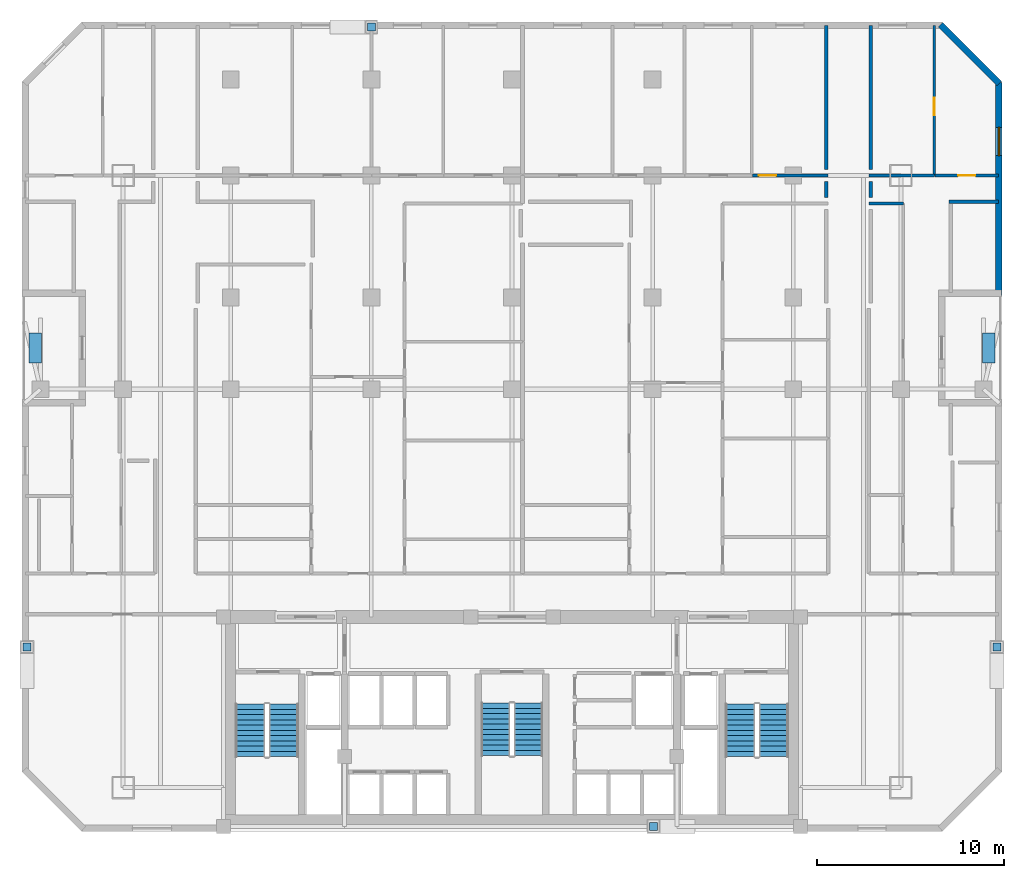
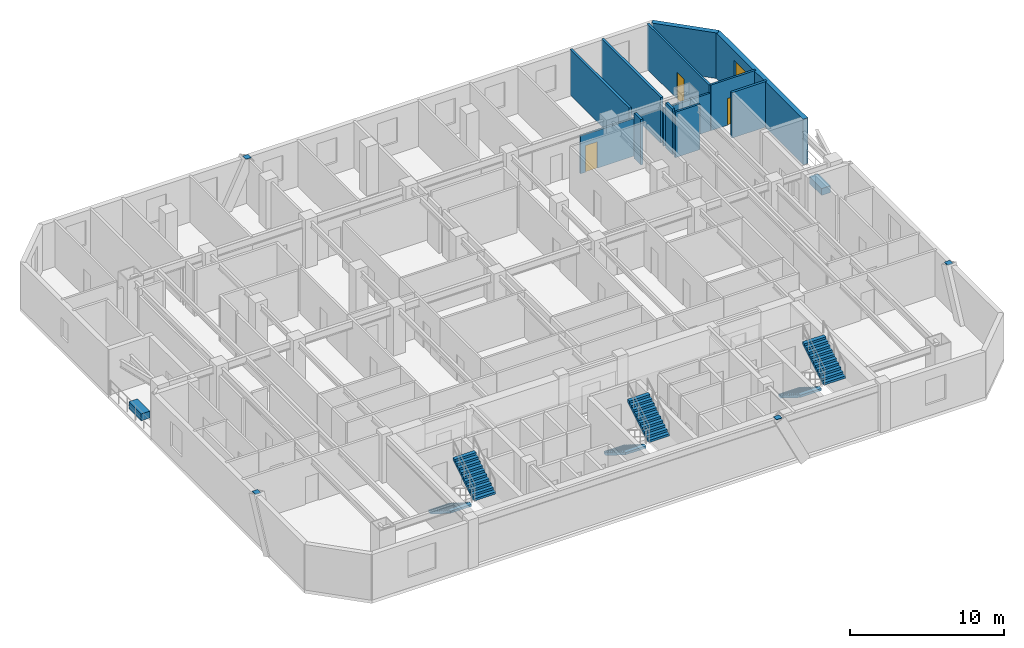
# One storey, part 8 of 10: 12 walls, 6 discrete accessories, 6 stair flights, 3 doors, 1 window, 4 openings, 3 elements without a shape of their own.
"""IFC4 building model written with IfcOpenShell, lengths in metres."""

from ifc_helpers import new_model, si_unit, direction, frame, frame_2d, origin, origin_2d, place, context, subcontext, project, spatial, polyline, rectangle, outline, extrude, material, layer, layer_set, type_object, element, fill, aggregate, save


model = new_model("IFC4")

# Units and contexts
model_context = context("Model", 3, precision=1e-05, world=origin(), true_north=direction((0.0, 1.0)))
body_context = subcontext(model_context, "Body", "Model", "MODEL_VIEW")
ifc_project = project(units=[si_unit("LENGTHUNIT", "METRE"), si_unit("AREAUNIT", "SQUARE_METRE"), si_unit("VOLUMEUNIT", "CUBIC_METRE"), si_unit("PLANEANGLEUNIT", "RADIAN"), si_unit("MASSUNIT", "GRAM", prefix="KILO")], contexts=[model_context])

# Site, building, storey
site_placement = place(None, origin())
site = spatial("IfcSite", under=ifc_project, at=site_placement, CompositionType="ELEMENT")
building_placement = place(site_placement, origin())
building = spatial("IfcBuilding", under=site, at=building_placement, Name="Ventersveld Concourse Tower", CompositionType="ELEMENT")
storey_placement = place(building_placement, frame((0.0, 0.0, 104.14990234375)))
storey = spatial("IfcBuildingStorey", under=building, at=storey_placement, Name="L25", CompositionType="ELEMENT", Elevation=104.14990234375)

# Walls
ifc_material_1 = material(Name="Fire-rated autoclaved aerated masonry blockwork", Category="masonry")
ifc_layer_1 = layer(ifc_material_1, 0.179931640625)
ifc_layer_set_1 = layer_set([ifc_layer_1], Name="Fire-rated autoclaved aerated masonry blockwork")
wall_type_1 = type_object("IfcWallType", Name="WL-CORR-180", PredefinedType="PARTITIONING", material=ifc_layer_set_1)
wall_1_placement = place(storey_placement, frame((47.8798828125, 33.824951171875, 0.0), z_axis=(0.0, 0.0, 1.0), x_axis=(0.0, 1.0, 0.0)))
element("IfcWall", 1, at=wall_1_placement, inside=storey, type_object=wall_type_1, Name="L25 Room Enclosure Wall SP-L25-25NE-LIV", PredefinedType="PARTITIONING", context=body_context, shape_type="SweptSolid", body=[
    extrude(rectangle(XDim=0.85009765625, YDim=0.179931640625, at=frame_2d((0.425048828125, 0.0))), origin(), (0.0, 0.0, 1.0), 3.60009765625),
])
wall_2_placement = place(storey_placement, frame((54.68994140625, 33.590087890625, 0.0), z_axis=(0.0, 0.0, 1.0), x_axis=(-1.0, 0.0, 0.0)))
element("IfcWall", 2, at=wall_2_placement, inside=storey, type_object=wall_type_1, Name="L25 Room Enclosure Wall SP-L25-25NE-LIV", PredefinedType="PARTITIONING", context=body_context, shape_type="SweptSolid", body=[
    extrude(rectangle(XDim=2.6318359375, YDim=0.179931640625, at=frame_2d((1.31591796875, 0.0))), origin(), (0.0, 0.0, 1.0), 3.60009765625),
])
wall_3_placement = place(storey_placement, frame((47.8798828125, 35.324951171875, 0.0), z_axis=(0.0, 0.0, 1.0), x_axis=(0.0, 1.0, 0.0)))
element("IfcWall", 3, at=wall_3_placement, inside=storey, type_object=wall_type_1, Name="L25 Room Enclosure Wall SP-L25-25NE-BR1", PredefinedType="PARTITIONING", context=body_context, shape_type="SweptSolid", body=[
    extrude(rectangle(XDim=7.6650390625, YDim=0.179931640625, at=frame_2d((3.83251953125, 0.0))), origin(), (0.0, 0.0, 1.0), 3.60009765625),
])
wall_4_placement = place(storey_placement, frame((45.52001953125, 34.675048828125, 0.0), z_axis=(0.0, 0.0, 1.0), x_axis=(0.0, -1.0, 0.0)))
element("IfcWall", 4, at=wall_4_placement, inside=storey, type_object=wall_type_1, Name="L25 Room Enclosure Wall SP-L25-25N2-LIV", PredefinedType="PARTITIONING", context=body_context, shape_type="SweptSolid", body=[
    extrude(rectangle(XDim=0.85009765625, YDim=0.179931640625, at=frame_2d((0.425048828125, 0.0))), origin(), (0.0, 0.0, 1.0), 3.60009765625),
])
wall_5_placement = place(storey_placement, frame((45.52001953125, 42.989990234375, 0.0), z_axis=(0.0, 0.0, 1.0), x_axis=(0.0, -1.0, 0.0)))
element("IfcWall", 5, at=wall_5_placement, inside=storey, type_object=wall_type_1, Name="L25 Room Enclosure Wall SP-L25-25N2-BR4", PredefinedType="PARTITIONING", context=body_context, shape_type="SweptSolid", body=[
    extrude(rectangle(XDim=7.6650390625, YDim=0.179931640625, at=frame_2d((3.83251953125, 0.0))), origin(), (0.0, 0.0, 1.0), 3.60009765625),
])
ifc_material_2 = material(Name="Autoclaved aerated masonry blockwork", Category="masonry")
ifc_layer_2 = layer(ifc_material_2, 0.14990234375)
ifc_layer_set_2 = layer_set([ifc_layer_2], Name="Autoclaved aerated masonry blockwork")
wall_type_2 = type_object("IfcWallType", Name="WL-INT-150", PredefinedType="PARTITIONING", material=ifc_layer_set_2)
wall_6_placement = place(storey_placement, frame((47.784912109375, 33.5, 0.0), z_axis=(0.0, 0.0, 1.0), x_axis=(1.0, 0.0, 0.0)))
element("IfcWall", 6, at=wall_6_placement, inside=storey, type_object=wall_type_2, Name="L25 Interior Partition SP-L25-25NE-LIV-SP-L25-25NE-MEDL0", PredefinedType="PARTITIONING", context=body_context, shape_type="SweptSolid", body=[
    extrude(rectangle(XDim=1.837158203125, YDim=0.14990234375, at=frame_2d((0.91845703125, 0.0))), origin(), (0.0, 0.0, 1.0), 3.60009765625),
])
wall_7_placement = place(storey_placement, frame((47.784912109375, 35.0, 0.0), z_axis=(0.0, 0.0, 1.0), x_axis=(1.0, 0.0, 0.0)))
element("IfcWall", 7, at=wall_7_placement, inside=storey, type_object=wall_type_2, Name="L25 Interior Partition SP-L25-25NE-LIV-SP-L25-25NE-BR1", PredefinedType="PARTITIONING", context=body_context, shape_type="SweptSolid", body=[
    extrude(rectangle(XDim=3.498291015625, YDim=0.14990234375, at=frame_2d((1.7490234375, 0.0))), origin(), (0.0, 0.0, 1.0), 2.98291015625),
])

# Wall, opening, door
wall_8_placement = place(storey_placement, frame((51.313232421875, 35.0, 0.0), z_axis=(0.0, 0.0, 1.0), x_axis=(1.0, 0.0, 0.0)))
wall_8 = element("IfcWall", 8, at=wall_8_placement, inside=storey, type_object=wall_type_2, Name="L25 Interior Partition SP-L25-25NE-LIV-SP-L25-25NE-BR2", PredefinedType="PARTITIONING", context=body_context, shape_type="SweptSolid", body=[
    extrude(rectangle(XDim=3.376708984375, YDim=0.14990234375, at=frame_2d((1.6884765625, 0.0))), origin(), (0.0, 0.0, 1.0), 3.60009765625),
])
opening_1_placement = place(wall_8_placement, frame((1.228515625, 0.0, 0.0)))
opening_1 = element("IfcOpeningElement", 9, at=opening_1_placement, cuts=wall_8, Name="Opening ID1", PredefinedType="OPENING", context=body_context, shape_type="SweptSolid", body=[
    extrude(rectangle(XDim=0.919921875, YDim=2.10009765625, at=frame_2d((0.4599609375, 1.050048828125))), frame((0.0, 0.0849609375, 0.0), z_axis=(0.0, -1.0, 0.0), x_axis=(1.0, 0.0, 0.0)), (0.0, 0.0, 1.0), 0.169921875),
])
ifc_material_3 = material(Name="Solid-core hardwood veneer timber", Category="wood")
door_type = type_object("IfcDoorType", Name="DR-ROOM-092", OperationType="NOTDEFINED", PredefinedType="DOOR", material=ifc_material_3)
door_1_placement = place(opening_1_placement, origin())
door_1 = element("IfcDoor", 10, at=door_1_placement, inside=storey, type_object=door_type, Name="L25 Interior Door SP-L25-25NE-LIV to SP-L25-25NE-BR2 (D-L25-1235)", OperationType="SINGLE_SWING_LEFT", OverallHeight=2.10009765625, OverallWidth=0.919921875, PredefinedType="DOOR", context=body_context, shape_type="SweptSolid", body=[
    extrude(rectangle(XDim=0.919921875, YDim=2.10009765625, at=frame_2d((0.4599609375, 1.050048828125))), frame((0.0, 0.02490234375, 0.0), z_axis=(0.0, -1.0, 0.0), x_axis=(1.0, 0.0, 0.0)), (0.0, 0.0, 1.0), 0.050048828125),
])
fill(opening_1, door_1)

wall_9_placement = place(storey_placement, frame((51.2783203125, 34.9951171875, 0.0), z_axis=(0.0, 0.0, 1.0), x_axis=(0.0, 1.0, 0.0)))
wall_9 = element("IfcWall", 11, at=wall_9_placement, inside=storey, type_object=wall_type_2, Name="L25 Interior Partition SP-L25-25NE-BR1-SP-L25-25NE-BR2", PredefinedType="PARTITIONING", context=body_context, shape_type="SweptSolid", body=[
    extrude(rectangle(XDim=7.994873046875, YDim=0.14990234375, at=frame_2d((3.99755859375, 0.0))), origin(), (0.0, 0.0, 1.0), 3.60009765625),
])
opening_2_placement = place(wall_9_placement, frame((3.22998046875, 0.0, 0.0)))
opening_2 = element("IfcOpeningElement", 12, at=opening_2_placement, cuts=wall_9, Name="Opening ID1", PredefinedType="OPENING", context=body_context, shape_type="SweptSolid", body=[
    extrude(rectangle(XDim=0.919921875, YDim=2.10009765625, at=frame_2d((0.4599609375, 1.050048828125))), frame((0.0, 0.0849609375, 0.0), z_axis=(0.0, -1.0, 0.0), x_axis=(1.0, 0.0, 0.0)), (0.0, 0.0, 1.0), 0.169921875),
])
door_2_placement = place(opening_2_placement, origin())
door_2 = element("IfcDoor", 13, at=door_2_placement, inside=storey, type_object=door_type, Name="L25 Interior Door Flat 25NE Master Bedroom (D-L25-1265)", OperationType="SINGLE_SWING_RIGHT", OverallHeight=2.10009765625, OverallWidth=0.919921875, PredefinedType="DOOR", context=body_context, shape_type="SweptSolid", body=[
    extrude(rectangle(XDim=0.919921875, YDim=2.10009765625, at=frame_2d((0.4599609375, 1.050048828125))), frame((0.0, 0.02490234375, 0.0), z_axis=(0.0, -1.0, 0.0), x_axis=(1.0, 0.0, 0.0)), (0.0, 0.0, 1.0), 0.050048828125),
])
fill(opening_2, door_2)

wall_10_placement = place(storey_placement, frame((41.571044921875, 35.0, 0.0), z_axis=(0.0, 0.0, 1.0), x_axis=(1.0, 0.0, 0.0)))
wall_10 = element("IfcWall", 14, at=wall_10_placement, inside=storey, type_object=wall_type_2, Name="L25 Interior Partition SP-L25-25N2-LIV-SP-L25-25N2-BR4", PredefinedType="PARTITIONING", context=body_context, shape_type="SweptSolid", body=[
    extrude(rectangle(XDim=4.0439453125, YDim=0.14990234375, at=frame_2d((2.02197265625, 0.0))), origin(), (0.0, 0.0, 1.0), 2.98291015625),
])
opening_3_placement = place(wall_10_placement, frame((0.348876953125, 0.0, 0.0)))
opening_3 = element("IfcOpeningElement", 15, at=opening_3_placement, cuts=wall_10, Name="Opening ID1", PredefinedType="OPENING", context=body_context, shape_type="SweptSolid", body=[
    extrude(rectangle(XDim=0.919921875, YDim=2.10009765625, at=frame_2d((0.4599609375, 1.050048828125))), frame((0.0, 0.0849609375, 0.0), z_axis=(0.0, -1.0, 0.0), x_axis=(1.0, 0.0, 0.0)), (0.0, 0.0, 1.0), 0.169921875),
])
door_3_placement = place(opening_3_placement, origin())
door_3 = element("IfcDoor", 16, at=door_3_placement, inside=storey, type_object=door_type, Name="L25 Interior Door SP-L25-25N2-LIV to SP-L25-25N2-BR4 (D-L25-1263)", OperationType="SINGLE_SWING_LEFT", OverallHeight=2.10009765625, OverallWidth=0.919921875, PredefinedType="DOOR", context=body_context, shape_type="SweptSolid", body=[
    extrude(rectangle(XDim=0.919921875, YDim=2.10009765625, at=frame_2d((0.4599609375, 1.050048828125))), frame((0.0, 0.02490234375, 0.0), z_axis=(0.0, -1.0, 0.0), x_axis=(1.0, 0.0, 0.0)), (0.0, 0.0, 1.0), 0.050048828125),
])
fill(opening_3, door_3)

# Wall, opening, window
ifc_material_4 = material(Name="Precast concrete C45/55", Category="concrete")
ifc_layer_3 = layer(ifc_material_4, 0.35009765625)
ifc_layer_set_3 = layer_set([ifc_layer_3], Name="Precast concrete C45/55")
wall_type_3 = type_object("IfcWallType", Name="WL-PREC-350", PredefinedType="SOLIDWALL", material=ifc_layer_set_3)
wall_11_placement = place(storey_placement, frame((54.72509765625, 28.590087890625, 0.0), z_axis=(0.0, 0.0, 1.0), x_axis=(0.0, 1.0, 0.0)))
wall_11 = element("IfcWall", 17, at=wall_11_placement, inside=storey, type_object=wall_type_3, Name="L25 Highveld Precast Facade Wall E07", PredefinedType="SOLIDWALL", context=body_context, shape_type="SweptSolid", body=[
    extrude(rectangle(XDim=11.369873046875, YDim=0.35009765625, at=frame_2d((5.68505859375, 0.0))), origin(), (0.0, 0.0, 1.0), 3.60009765625),
])
opening_4_placement = place(wall_11_placement, frame((7.472412109375, 0.0, 0.89990234375)))
opening_4 = element("IfcOpeningElement", 18, at=opening_4_placement, cuts=wall_11, Name="Opening W1", PredefinedType="OPENING", context=body_context, shape_type="SweptSolid", body=[
    extrude(rectangle(XDim=1.5, YDim=1.949951171875, at=frame_2d((0.75, 0.97509765625))), frame((0.0, 0.18505859375, 0.0), z_axis=(0.0, -1.0, 0.0), x_axis=(1.0, 0.0, 0.0)), (0.0, 0.0, 1.0), 0.3701171875),
])
ifc_material_5 = material(Name="Tempered acoustic Low-E IGU", Category="glass")
window_type = type_object("IfcWindowType", Name="WIN-150x210", PartitioningType="SINGLE_PANEL", PredefinedType="WINDOW", material=ifc_material_5)
window_placement = place(opening_4_placement, origin())
window = element("IfcWindow", 19, at=window_placement, inside=storey, type_object=window_type, Name="L25 Punched Low-E Window W-0296", OverallHeight=1.949951171875, OverallWidth=1.5, PartitioningType="SINGLE_PANEL", PredefinedType="WINDOW", context=body_context, shape_type="SweptSolid", body=[
    extrude(rectangle(XDim=1.5, YDim=1.949951171875, at=frame_2d((0.75, 0.97509765625))), frame((0.0, 0.030029296875, 0.0), z_axis=(0.0, -1.0, 0.0), x_axis=(1.0, 0.0, 0.0)), (0.0, 0.0, 1.0), 0.06005859375),
])
fill(opening_4, window)

# Wall
wall_12_placement = place(storey_placement, frame((54.748046875, 39.904541015625, 0.0), z_axis=(0.0, 0.0, 1.0), x_axis=(-0.707106781187, 0.707106781187, 0.0)))
element("IfcWall", 20, at=wall_12_placement, inside=storey, type_object=wall_type_3, Name="L25 Highveld Precast Facade Wall E08", PredefinedType="SOLIDWALL", context=body_context, shape_type="SweptSolid", body=[
    extrude(rectangle(XDim=4.445556640625, YDim=0.35009765625, at=frame_2d((2.22265625, 0.0))), origin(), (0.0, 0.0, 1.0), 3.60009765625),
])

# Stair, stair flights
ifc_material_6 = material(Name="Concrete C50/60", Category="concrete")
stair_type_1 = type_object("IfcStairType", Name="ST-DOG-155", PredefinedType="HALF_TURN_STAIR", material=ifc_material_6)
stair_1_placement = place(storey_placement, origin())
stair_1 = element("IfcStair", 21, at=stair_1_placement, inside=storey, type_object=stair_type_1, Name="L25 Protected Central Core Escape Stair ST-03", PredefinedType="HALF_TURN_STAIR")
stair_flight_type_1 = type_object("IfcStairFlightType", Name="STF-RC-155", PredefinedType="STRAIGHT", material=ifc_material_6)
stair_flight_1_placement = place(storey_placement, frame((27.875, 6.85009765625, 0.0), z_axis=(0.0, 0.0, 1.0), x_axis=(0.0, -1.0, 0.0)))
stair_flight_1 = element("IfcStairFlight", 22, at=stair_flight_1_placement, type_object=stair_flight_type_1, Name="ST-03 flight 1", NumberOfRisers=11, NumberOfTreads=10, PredefinedType="STRAIGHT", RiserHeight=0.175, TreadLength=0.28, context=body_context, shape_type="SweptSolid", body=[
    extrude(outline(polyline([(0.0, 0.0), (0.0, 0.175048828125), (0.280029296875, 0.175048828125), (0.280029296875, 0.35009765625), (0.56005859375, 0.35009765625), (0.56005859375, 0.52490234375), (0.840087890625, 0.52490234375), (0.840087890625, 0.699951171875), (1.1201171875, 0.699951171875), (1.1201171875, 0.875), (1.39990234375, 0.875), (1.39990234375, 1.050048828125), (1.679931640625, 1.050048828125), (1.679931640625, 1.22509765625), (1.9599609375, 1.22509765625), (1.9599609375, 1.39990234375), (2.239990234375, 1.39990234375), (2.239990234375, 1.574951171875), (2.52001953125, 1.574951171875), (2.52001953125, 1.75), (2.800048828125, 1.75), (2.800048828125, 1.925048828125), (2.800048828125, 1.5732421875), (0.28271484375, 0.0), (0.0, 0.0)])), frame((0.0, 0.77490234375, 0.0), z_axis=(0.0, -1.0, 0.0), x_axis=(1.0, 0.0, 0.0)), (0.0, 0.0, 1.0), 1.550048828125),
])
stair_flight_2_placement = place(storey_placement, frame((29.625, 4.050048828125, 1.925048828125), z_axis=(0.0, 0.0, 1.0), x_axis=(0.0, 1.0, 0.0)))
stair_flight_2 = element("IfcStairFlight", 23, at=stair_flight_2_placement, type_object=stair_flight_type_1, Name="ST-03 flight 2", NumberOfRisers=11, NumberOfTreads=10, PredefinedType="STRAIGHT", RiserHeight=0.175, TreadLength=0.28, context=body_context, shape_type="SweptSolid", body=[
    extrude(outline(polyline([(0.0, 0.0), (0.0, 0.175048828125), (0.280029296875, 0.175048828125), (0.280029296875, 0.35009765625), (0.56005859375, 0.35009765625), (0.56005859375, 0.52490234375), (0.840087890625, 0.52490234375), (0.840087890625, 0.699951171875), (1.1201171875, 0.699951171875), (1.1201171875, 0.875), (1.39990234375, 0.875), (1.39990234375, 1.050048828125), (1.679931640625, 1.050048828125), (1.679931640625, 1.22509765625), (1.9599609375, 1.22509765625), (1.9599609375, 1.39990234375), (2.239990234375, 1.39990234375), (2.239990234375, 1.574951171875), (2.52001953125, 1.574951171875), (2.52001953125, 1.75), (2.800048828125, 1.75), (2.800048828125, 1.925048828125), (2.800048828125, 1.5732421875), (0.28271484375, 0.0), (0.0, 0.0)])), frame((0.0, 0.77490234375, 0.0), z_axis=(0.0, -1.0, 0.0), x_axis=(1.0, 0.0, 0.0)), (0.0, 0.0, 1.0), 1.550048828125),
])
aggregate(stair_1, [stair_flight_1, stair_flight_2])

stair_type_2 = type_object("IfcStairType", Name="ST-DOG-160", PredefinedType="HALF_TURN_STAIR", material=ifc_material_6)
stair_2_placement = place(storey_placement, origin())
stair_2 = element("IfcStair", 24, at=stair_2_placement, inside=storey, type_object=stair_type_2, Name="L25 Protected Tower Escape Stair ST-01", PredefinedType="HALF_TURN_STAIR")
stair_flight_type_2 = type_object("IfcStairFlightType", Name="STF-RC-160", PredefinedType="STRAIGHT", material=ifc_material_6)
stair_flight_3_placement = place(storey_placement, frame((14.780029296875, 6.800048828125, 0.0), z_axis=(0.0, 0.0, 1.0), x_axis=(0.0, -1.0, 0.0)))
stair_flight_3 = element("IfcStairFlight", 25, at=stair_flight_3_placement, type_object=stair_flight_type_2, Name="ST-01 flight 1", NumberOfRisers=11, NumberOfTreads=10, PredefinedType="STRAIGHT", RiserHeight=0.175, TreadLength=0.28, context=body_context, shape_type="SweptSolid", body=[
    extrude(outline(polyline([(0.0, 0.0), (0.0, 0.175048828125), (0.280029296875, 0.175048828125), (0.280029296875, 0.35009765625), (0.56005859375, 0.35009765625), (0.56005859375, 0.52490234375), (0.840087890625, 0.52490234375), (0.840087890625, 0.699951171875), (1.1201171875, 0.699951171875), (1.1201171875, 0.875), (1.39990234375, 0.875), (1.39990234375, 1.050048828125), (1.679931640625, 1.050048828125), (1.679931640625, 1.22509765625), (1.9599609375, 1.22509765625), (1.9599609375, 1.39990234375), (2.239990234375, 1.39990234375), (2.239990234375, 1.574951171875), (2.52001953125, 1.574951171875), (2.52001953125, 1.75), (2.800048828125, 1.75), (2.800048828125, 1.925048828125), (2.800048828125, 1.5732421875), (0.28271484375, 0.0), (0.0, 0.0)])), frame((0.0, 0.800048828125, 0.0), z_axis=(0.0, -1.0, 0.0), x_axis=(1.0, 0.0, 0.0)), (0.0, 0.0, 1.0), 1.60009765625),
])
stair_flight_4_placement = place(storey_placement, frame((16.580078125, 4.0, 1.925048828125), z_axis=(0.0, 0.0, 1.0), x_axis=(0.0, 1.0, 0.0)))
stair_flight_4 = element("IfcStairFlight", 26, at=stair_flight_4_placement, type_object=stair_flight_type_2, Name="ST-01 flight 2", NumberOfRisers=11, NumberOfTreads=10, PredefinedType="STRAIGHT", RiserHeight=0.175, TreadLength=0.28, context=body_context, shape_type="SweptSolid", body=[
    extrude(outline(polyline([(0.0, 0.0), (0.0, 0.175048828125), (0.280029296875, 0.175048828125), (0.280029296875, 0.35009765625), (0.56005859375, 0.35009765625), (0.56005859375, 0.52490234375), (0.840087890625, 0.52490234375), (0.840087890625, 0.699951171875), (1.1201171875, 0.699951171875), (1.1201171875, 0.875), (1.39990234375, 0.875), (1.39990234375, 1.050048828125), (1.679931640625, 1.050048828125), (1.679931640625, 1.22509765625), (1.9599609375, 1.22509765625), (1.9599609375, 1.39990234375), (2.239990234375, 1.39990234375), (2.239990234375, 1.574951171875), (2.52001953125, 1.574951171875), (2.52001953125, 1.75), (2.800048828125, 1.75), (2.800048828125, 1.925048828125), (2.800048828125, 1.5732421875), (0.28271484375, 0.0), (0.0, 0.0)])), frame((0.0, 0.800048828125, 0.0), z_axis=(0.0, -1.0, 0.0), x_axis=(1.0, 0.0, 0.0)), (0.0, 0.0, 1.0), 1.60009765625),
])
aggregate(stair_2, [stair_flight_3, stair_flight_4])

stair_3_placement = place(storey_placement, origin())
stair_3 = element("IfcStair", 27, at=stair_3_placement, inside=storey, type_object=stair_type_2, Name="L25 Protected Tower Escape Stair ST-02", PredefinedType="HALF_TURN_STAIR")
stair_flight_5_placement = place(storey_placement, frame((40.919921875, 6.800048828125, 0.0), z_axis=(0.0, 0.0, 1.0), x_axis=(0.0, -1.0, 0.0)))
stair_flight_5 = element("IfcStairFlight", 28, at=stair_flight_5_placement, type_object=stair_flight_type_2, Name="ST-02 flight 1", NumberOfRisers=11, NumberOfTreads=10, PredefinedType="STRAIGHT", RiserHeight=0.175, TreadLength=0.28, context=body_context, shape_type="SweptSolid", body=[
    extrude(outline(polyline([(0.0, 0.0), (0.0, 0.175048828125), (0.280029296875, 0.175048828125), (0.280029296875, 0.35009765625), (0.56005859375, 0.35009765625), (0.56005859375, 0.52490234375), (0.840087890625, 0.52490234375), (0.840087890625, 0.699951171875), (1.1201171875, 0.699951171875), (1.1201171875, 0.875), (1.39990234375, 0.875), (1.39990234375, 1.050048828125), (1.679931640625, 1.050048828125), (1.679931640625, 1.22509765625), (1.9599609375, 1.22509765625), (1.9599609375, 1.39990234375), (2.239990234375, 1.39990234375), (2.239990234375, 1.574951171875), (2.52001953125, 1.574951171875), (2.52001953125, 1.75), (2.800048828125, 1.75), (2.800048828125, 1.925048828125), (2.800048828125, 1.5732421875), (0.28271484375, 0.0), (0.0, 0.0)])), frame((0.0, 0.800048828125, 0.0), z_axis=(0.0, -1.0, 0.0), x_axis=(1.0, 0.0, 0.0)), (0.0, 0.0, 1.0), 1.60009765625),
])
stair_flight_6_placement = place(storey_placement, frame((42.719970703125, 4.0, 1.925048828125), z_axis=(0.0, 0.0, 1.0), x_axis=(0.0, 1.0, 0.0)))
stair_flight_6 = element("IfcStairFlight", 29, at=stair_flight_6_placement, type_object=stair_flight_type_2, Name="ST-02 flight 2", NumberOfRisers=11, NumberOfTreads=10, PredefinedType="STRAIGHT", RiserHeight=0.175, TreadLength=0.28, context=body_context, shape_type="SweptSolid", body=[
    extrude(outline(polyline([(0.0, 0.0), (0.0, 0.175048828125), (0.280029296875, 0.175048828125), (0.280029296875, 0.35009765625), (0.56005859375, 0.35009765625), (0.56005859375, 0.52490234375), (0.840087890625, 0.52490234375), (0.840087890625, 0.699951171875), (1.1201171875, 0.699951171875), (1.1201171875, 0.875), (1.39990234375, 0.875), (1.39990234375, 1.050048828125), (1.679931640625, 1.050048828125), (1.679931640625, 1.22509765625), (1.9599609375, 1.22509765625), (1.9599609375, 1.39990234375), (2.239990234375, 1.39990234375), (2.239990234375, 1.574951171875), (2.52001953125, 1.574951171875), (2.52001953125, 1.75), (2.800048828125, 1.75), (2.800048828125, 1.925048828125), (2.800048828125, 1.5732421875), (0.28271484375, 0.0), (0.0, 0.0)])), frame((0.0, 0.800048828125, 0.0), z_axis=(0.0, -1.0, 0.0), x_axis=(1.0, 0.0, 0.0)), (0.0, 0.0, 1.0), 1.60009765625),
])
aggregate(stair_3, [stair_flight_5, stair_flight_6])

# Discrete accessories
ifc_material_7 = material(Name="Structural steel S355J2", Category="steel")
discrete_accessory_type_1 = type_object("IfcDiscreteAccessoryType", Name="CONN-BRACE-ECP1", PredefinedType="BRACKET", material=ifc_material_7)
for number, where, z_axis, x_axis, name in (
    (30, (21.25, 42.919921875, 3.580078125), (0.0, 0.0, 1.0), (1.0, 0.0, 0.0), "L25 Steel Brace End Connection Plate ECP1-0269"),
    (31, (36.300048828125, 0.280029296875, 3.580078125), (0.0, 0.0, 1.0), (1.0, 0.0, 0.0), "L25 Steel Brace End Connection Plate ECP1-0273"),
    (32, (2.8798828125, 9.85009765625, 3.580078125), (0.0, 0.0, 1.0), (1.0, 0.0, 0.0), "L25 Steel Brace End Connection Plate ECP1-0278"),
    (33, (54.6201171875, 9.85009765625, 3.580078125), (0.0, 0.0, 1.0), (1.0, 0.0, 0.0), "L25 Steel Brace End Connection Plate ECP1-0283"),
):
    element("IfcDiscreteAccessory", number, at=place(storey_placement, frame(where, z_axis=z_axis, x_axis=x_axis)), inside=storey, type_object=discrete_accessory_type_1, Name=name, PredefinedType="BRACKET", context=body_context, shape_type="SweptSolid", body=[
        extrude(rectangle(XDim=0.419921875, YDim=0.419921875, at=origin_2d()), origin(), (0.0, 0.0, 1.0), 0.0400390625),
    ])
discrete_accessory_type_2 = type_object("IfcDiscreteAccessoryType", Name="PLN-TERR-180", PredefinedType="USERDEFINED", material=ifc_material_4)
for number, where, z_axis, x_axis, name in (
    (34, (3.320068359375, 25.800048828125, 0.0), (0.0, 0.0, 1.0), (0.0, 1.0, 0.0), "L25 Planted Precast Terrace Planter Box NOTCH-W"),
    (35, (54.179931640625, 25.800048828125, 0.0), (0.0, 0.0, 1.0), (0.0, 1.0, 0.0), "L25 Planted Precast Terrace Planter Box NOTCH-E"),
):
    element("IfcDiscreteAccessory", number, at=place(storey_placement, frame(where, z_axis=z_axis, x_axis=x_axis)), inside=storey, type_object=discrete_accessory_type_2, Name=name, ObjectType="PLANTER", PredefinedType="USERDEFINED", context=body_context, shape_type="SweptSolid", body=[
        extrude(rectangle(XDim=1.60009765625, YDim=0.64990234375, at=origin_2d()), origin(), (0.0, 0.0, 1.0), 0.550048828125),
    ])

save(model, "model.ifc")
